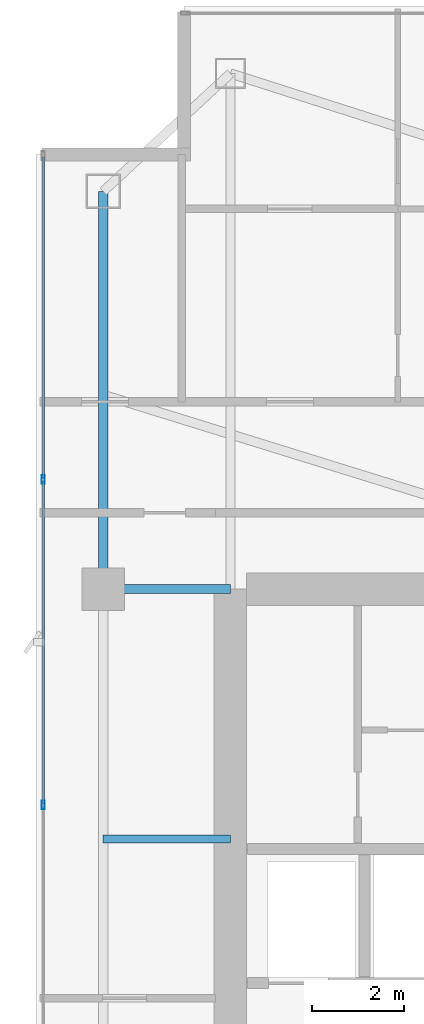
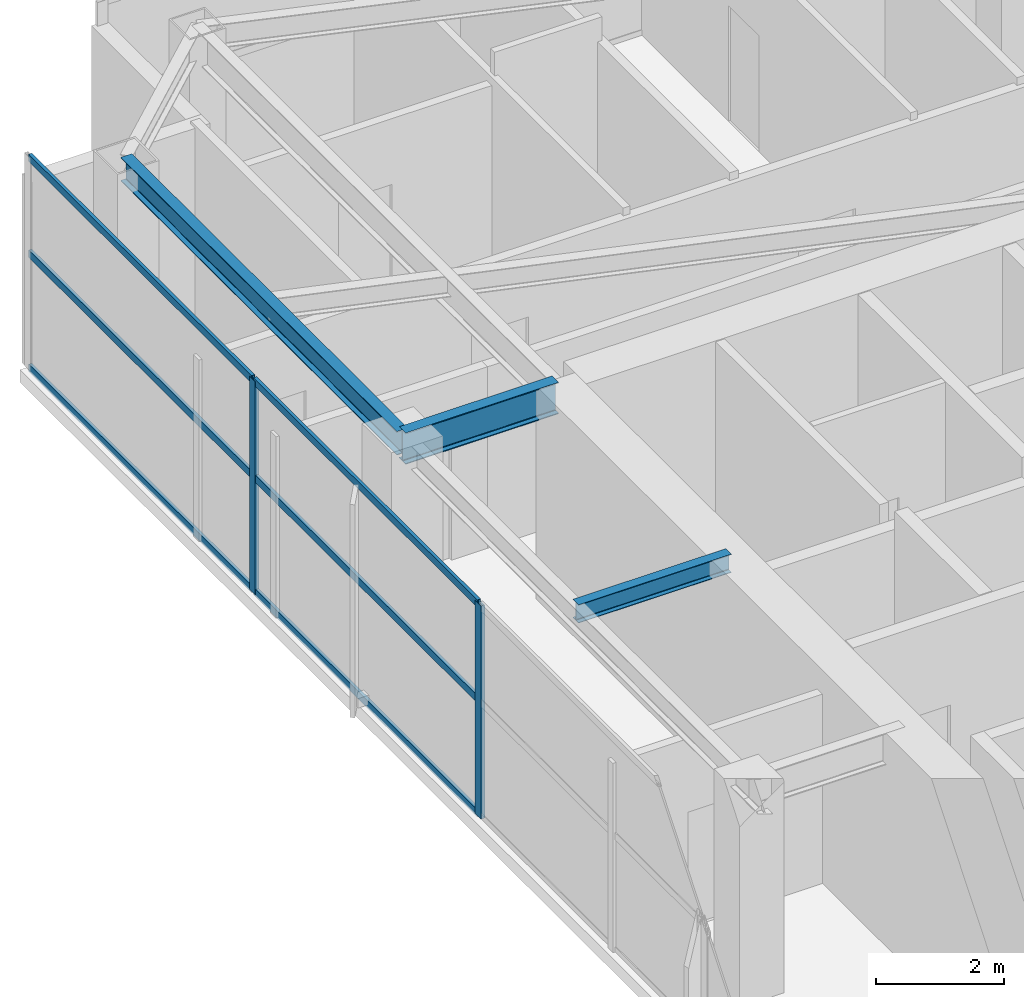
# One storey, part 16 of 29: 8 members, 3 beams, 1 element without a shape of its own.
"""IFC4 building model written with IfcOpenShell, lengths in metres."""

from ifc_helpers import new_model, si_unit, direction, frame, origin, origin_2d, place, context, subcontext, project, spatial, hollow_rectangle, i_section, extrude, material, layer, layer_set, material_profile, profile_set, type_object, element, aggregate, save


model = new_model("IFC4")

# Units and contexts
model_context = context("Model", 3, precision=1e-05, world=origin(), true_north=direction((0.0, 1.0)))
body_context = subcontext(model_context, "Body", "Model", "MODEL_VIEW")
ifc_project = project(units=[si_unit("LENGTHUNIT", "METRE"), si_unit("AREAUNIT", "SQUARE_METRE"), si_unit("VOLUMEUNIT", "CUBIC_METRE"), si_unit("PLANEANGLEUNIT", "RADIAN"), si_unit("MASSUNIT", "GRAM", prefix="KILO")], contexts=[model_context])

# Site, building, storey
site_placement = place(None, origin())
site = spatial("IfcSite", under=ifc_project, at=site_placement, CompositionType="ELEMENT")
building_placement = place(site_placement, origin())
building = spatial("IfcBuilding", under=site, at=building_placement, Name="Calvorn Quay Hotel", CompositionType="ELEMENT")
storey_placement = place(building_placement, frame((0.0, 0.0, 214.800048828125)))
storey = spatial("IfcBuildingStorey", under=building, at=storey_placement, Name="L53", CompositionType="ELEMENT", Elevation=214.800048828125)

# Beams
ifc_material_1 = material(Name="Steel Q355B", Category="steel")
ifc_material_profile_1 = material_profile(ifc_material_1, i_section(OverallWidth=0.199951171875, OverallDepth=0.60009765625, WebThickness=0.010986328125, FlangeThickness=0.01708984375, FilletRadius=0.01806640625, at=origin_2d()), Name="HN600x200x11x17")
ifc_profile_set_1 = profile_set([ifc_material_profile_1], Name="Steel Q355B")
beam_type_1 = type_object("IfcBeamType", Name="BM-GIRD-TYP", PredefinedType="BEAM", material=ifc_profile_set_1)
beam_1_placement = place(storey_placement, frame((1.449951171875, 38.39990234375, 3.75), z_axis=(1.0, 0.0, 0.0), x_axis=(0.0, 1.0, 0.0)))
element("IfcBeam", 1, at=beam_1_placement, inside=storey, type_object=beam_type_1, Name="Beam BG-L53-W3", PredefinedType="BEAM", context=body_context, shape_type="SweptSolid", body=[
    extrude(i_section(OverallWidth=0.199951171875, OverallDepth=0.60009765625, WebThickness=0.010986328125, FlangeThickness=0.01708984375, FilletRadius=0.01806640625, at=origin_2d()), origin(), (0.0, 0.0, 1.0), 2.75),
])
ifc_material_2 = material(Name="Steel Q355B", Category="steel")
ifc_material_profile_2 = material_profile(ifc_material_2, i_section(OverallWidth=0.175048828125, OverallDepth=0.35009765625, WebThickness=0.007080078125, FlangeThickness=0.010986328125, FilletRadius=0.013916015625, at=origin_2d()), Name="HN350x175x7x11")
ifc_profile_set_2 = profile_set([ifc_material_profile_2], Name="Steel Q355B")
beam_type_2 = type_object("IfcBeamType", Name="BM-JOIST-SEC", PredefinedType="JOIST", material=ifc_profile_set_2)
beam_2_placement = place(storey_placement, frame((1.449951171875, 33.0, 3.875), z_axis=(1.0, 0.0, 0.0), x_axis=(0.0, 1.0, 0.0)))
element("IfcBeam", 2, at=beam_2_placement, inside=storey, type_object=beam_type_2, Name="Beam BJ-L53-W4", PredefinedType="JOIST", context=body_context, shape_type="SweptSolid", body=[
    extrude(i_section(OverallWidth=0.175048828125, OverallDepth=0.35009765625, WebThickness=0.007080078125, FlangeThickness=0.010986328125, FilletRadius=0.013916015625, at=origin_2d()), origin(), (0.0, 0.0, 1.0), 2.75),
])
ifc_material_3 = material(Name="Steel Q355B", Category="steel")
ifc_material_profile_3 = material_profile(ifc_material_3, i_section(OverallWidth=0.199951171875, OverallDepth=0.449951171875, WebThickness=0.009033203125, FlangeThickness=0.013916015625, FilletRadius=0.01611328125, at=origin_2d()), Name="HN450x200x9x14")
ifc_profile_set_3 = profile_set([ifc_material_profile_3], Name="Steel Q355B")
beam_type_3 = type_object("IfcBeamType", Name="BM-SPANDREL-Z3", PredefinedType="SPANDREL", material=ifc_profile_set_3)
beam_3_placement = place(storey_placement, frame((1.449951171875, 38.39990234375, 3.824951171875), z_axis=(0.0, 1.0, 0.0), x_axis=(-1.0, 0.0, 0.0)))
element("IfcBeam", 3, at=beam_3_placement, inside=storey, type_object=beam_type_3, Name="Beam BSP-L53-W4", PredefinedType="SPANDREL", context=body_context, shape_type="SweptSolid", body=[
    extrude(i_section(OverallWidth=0.199951171875, OverallDepth=0.449951171875, WebThickness=0.009033203125, FlangeThickness=0.013916015625, FilletRadius=0.01611328125, at=origin_2d()), origin(), (0.0, 0.0, 1.0), 8.60009765625),
])

# Curtain wall, members
ifc_material_4 = material(Name="Champagne Bronze Anodised Aluminium and Low-E Glass", Category="aluminium")
ifc_layer = layer(ifc_material_4, 0.219970703125)
ifc_layer_set = layer_set([ifc_layer], Name="CW-SYS-Z3")
curtain_wall_type = type_object("IfcCurtainWallType", Name="CW-SYS-Z3", PredefinedType="NOTDEFINED", material=ifc_layer_set)
curtain_wall_placement = place(storey_placement, origin())
curtain_wall = element("IfcCurtainWall", 4, at=curtain_wall_placement, inside=storey, type_object=curtain_wall_type, Name="Tower West Curtain Wall (L53)", PredefinedType="NOTDEFINED")
ifc_material_5 = material(Name="Champagne Bronze Anodised Aluminium 6063-T6", Category="aluminium")
ifc_material_profile_4 = material_profile(ifc_material_5, hollow_rectangle(XDim=0.068115234375, YDim=0.18505859375, WallThickness=0.00390625, at=origin_2d()), Name="ALU-M185x68x4")
ifc_profile_set_4 = profile_set([ifc_material_profile_4], Name="Champagne Bronze Anodised Aluminium 6063-T6")
member_type_1 = type_object("IfcMemberType", Name="CW-SYS-Z3-MUL", PredefinedType="MULLION", material=ifc_profile_set_4)
member_1_placement = place(storey_placement, frame((0.14990234375, 33.7333984375, 0.0), z_axis=(0.0, 0.0, 1.0), x_axis=(-1.0, 0.0, 0.0)))
member_1 = element("IfcMember", 5, at=member_1_placement, type_object=member_type_1, Name="CW-L53-W mullion 5", PredefinedType="MULLION", context=body_context, shape_type="SweptSolid", body=[
    extrude(hollow_rectangle(XDim=0.068115234375, YDim=0.18505859375, WallThickness=0.00390625, at=origin_2d()), origin(), (0.0, 0.0, 1.0), 4.050048828125),
])
member_2_placement = place(storey_placement, frame((0.14990234375, 40.7666015625, 0.0), z_axis=(0.0, 0.0, 1.0), x_axis=(-1.0, 0.0, 0.0)))
member_2 = element("IfcMember", 6, at=member_2_placement, type_object=member_type_1, Name="CW-L53-W mullion 6", PredefinedType="MULLION", context=body_context, shape_type="SweptSolid", body=[
    extrude(hollow_rectangle(XDim=0.068115234375, YDim=0.18505859375, WallThickness=0.00390625, at=origin_2d()), origin(), (0.0, 0.0, 1.0), 4.050048828125),
])
ifc_material_6 = material(Name="Champagne Bronze Anodised Aluminium 6063-T6", Category="aluminium")
ifc_material_profile_5 = material_profile(ifc_material_6, hollow_rectangle(XDim=0.05810546875, YDim=0.139892578125, WallThickness=0.003173828125, at=origin_2d()), Name="ALU-T140x58x3.2")
ifc_profile_set_5 = profile_set([ifc_material_profile_5], Name="Champagne Bronze Anodised Aluminium 6063-T6")
member_type_2 = type_object("IfcMemberType", Name="CW-SYS-Z3-TRN", PredefinedType="USERDEFINED", material=ifc_profile_set_5)
member_3_placement = place(storey_placement, frame((0.14990234375, 33.763427734375, 0.030029296875), z_axis=(0.0, 1.0, 0.0), x_axis=(-1.0, 0.0, 0.0)))
member_3 = element("IfcMember", 7, at=member_3_placement, type_object=member_type_2, Name="CW-L53-W transom 5.1", ObjectType="TRANSOM", PredefinedType="USERDEFINED", context=body_context, shape_type="SweptSolid", body=[
    extrude(hollow_rectangle(XDim=0.05810546875, YDim=0.139892578125, WallThickness=0.003173828125, at=origin_2d()), origin(), (0.0, 0.0, 1.0), 6.97314453125),
])
member_4_placement = place(storey_placement, frame((0.14990234375, 33.763427734375, 2.199951171875), z_axis=(0.0, 1.0, 0.0), x_axis=(-1.0, 0.0, 0.0)))
member_4 = element("IfcMember", 8, at=member_4_placement, type_object=member_type_2, Name="CW-L53-W transom 5.2", ObjectType="TRANSOM", PredefinedType="USERDEFINED", context=body_context, shape_type="SweptSolid", body=[
    extrude(hollow_rectangle(XDim=0.05810546875, YDim=0.139892578125, WallThickness=0.003173828125, at=origin_2d()), origin(), (0.0, 0.0, 1.0), 6.97314453125),
])
member_5_placement = place(storey_placement, frame((0.14990234375, 33.763427734375, 4.02001953125), z_axis=(0.0, 1.0, 0.0), x_axis=(-1.0, 0.0, 0.0)))
member_5 = element("IfcMember", 9, at=member_5_placement, type_object=member_type_2, Name="CW-L53-W transom 5.3", ObjectType="TRANSOM", PredefinedType="USERDEFINED", context=body_context, shape_type="SweptSolid", body=[
    extrude(hollow_rectangle(XDim=0.05810546875, YDim=0.139892578125, WallThickness=0.003173828125, at=origin_2d()), origin(), (0.0, 0.0, 1.0), 6.97314453125),
])
member_6_placement = place(storey_placement, frame((0.14990234375, 40.796630859375, 0.030029296875), z_axis=(0.0, 1.0, 0.0), x_axis=(-1.0, 0.0, 0.0)))
member_6 = element("IfcMember", 10, at=member_6_placement, type_object=member_type_2, Name="CW-L53-W transom 6.1", ObjectType="TRANSOM", PredefinedType="USERDEFINED", context=body_context, shape_type="SweptSolid", body=[
    extrude(hollow_rectangle(XDim=0.05810546875, YDim=0.139892578125, WallThickness=0.003173828125, at=origin_2d()), origin(), (0.0, 0.0, 1.0), 6.943359375),
])
member_7_placement = place(storey_placement, frame((0.14990234375, 40.796630859375, 2.199951171875), z_axis=(0.0, 1.0, 0.0), x_axis=(-1.0, 0.0, 0.0)))
member_7 = element("IfcMember", 11, at=member_7_placement, type_object=member_type_2, Name="CW-L53-W transom 6.2", ObjectType="TRANSOM", PredefinedType="USERDEFINED", context=body_context, shape_type="SweptSolid", body=[
    extrude(hollow_rectangle(XDim=0.05810546875, YDim=0.139892578125, WallThickness=0.003173828125, at=origin_2d()), origin(), (0.0, 0.0, 1.0), 6.943359375),
])
member_8_placement = place(storey_placement, frame((0.14990234375, 40.796630859375, 4.02001953125), z_axis=(0.0, 1.0, 0.0), x_axis=(-1.0, 0.0, 0.0)))
member_8 = element("IfcMember", 12, at=member_8_placement, type_object=member_type_2, Name="CW-L53-W transom 6.3", ObjectType="TRANSOM", PredefinedType="USERDEFINED", context=body_context, shape_type="SweptSolid", body=[
    extrude(hollow_rectangle(XDim=0.05810546875, YDim=0.139892578125, WallThickness=0.003173828125, at=origin_2d()), origin(), (0.0, 0.0, 1.0), 6.943359375),
])
aggregate(curtain_wall, [member_1, member_2, member_3, member_4, member_5, member_6, member_7, member_8])

save(model, "model.ifc")
